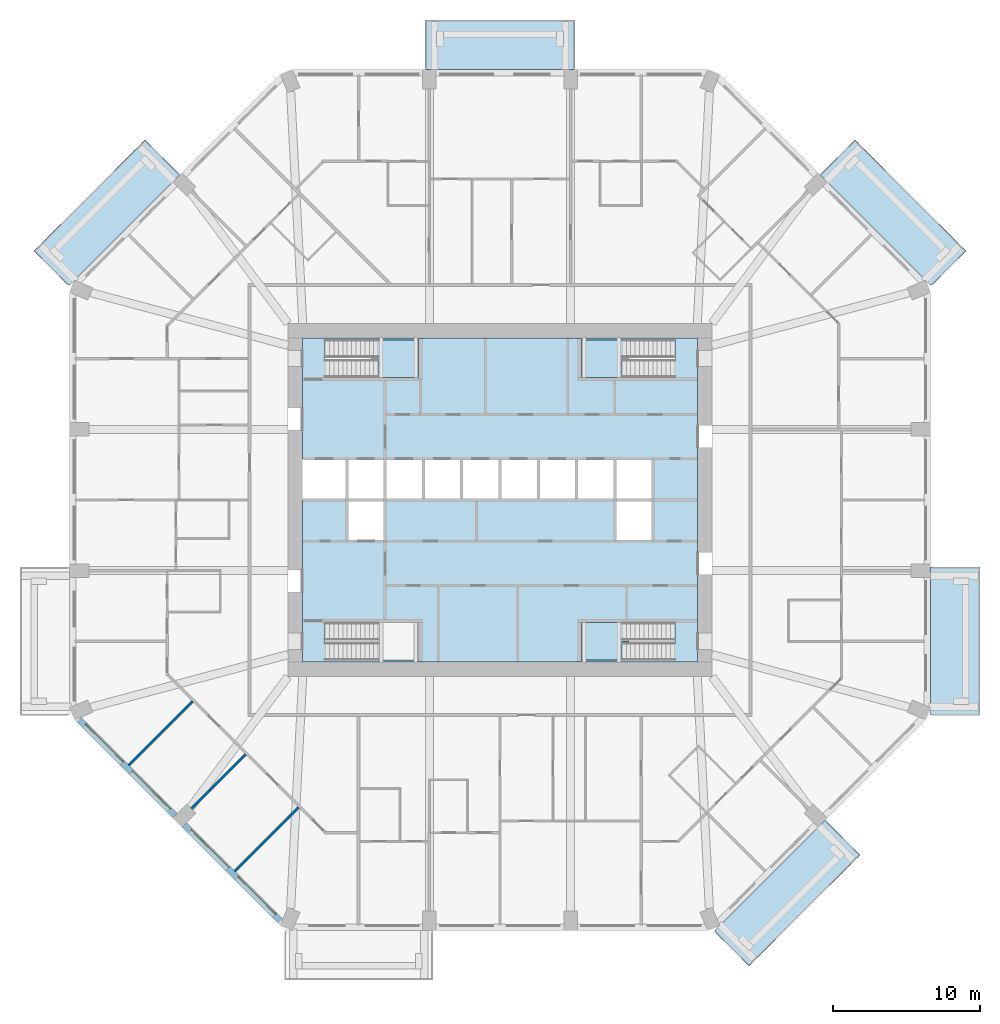
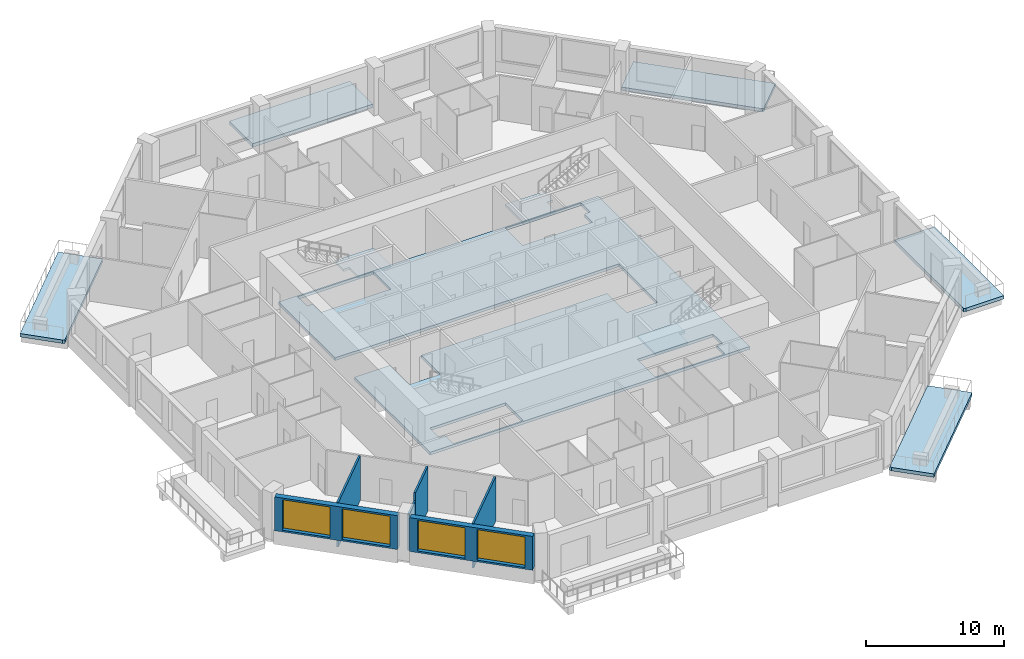
# One storey, part 2 of 13: 9 slabs, 6 walls, 4 windows, 4 openings, 3 elements without a shape of their own.
"""IFC4 building model written with IfcOpenShell, lengths in metres."""

from ifc_helpers import new_model, si_unit, direction, frame, frame_2d, origin, place, context, subcontext, project, spatial, polyline, rectangle, outline, extrude, material, layer, layer_set, type_object, element, fill, aggregate, save


model = new_model("IFC4")

# Units and contexts
model_context = context("Model", 3, precision=1e-05, world=origin(), true_north=direction((0.0, 1.0)))
body_context = subcontext(model_context, "Body", "Model", "MODEL_VIEW")
ifc_project = project(units=[si_unit("LENGTHUNIT", "METRE"), si_unit("AREAUNIT", "SQUARE_METRE"), si_unit("VOLUMEUNIT", "CUBIC_METRE"), si_unit("PLANEANGLEUNIT", "RADIAN"), si_unit("MASSUNIT", "GRAM", prefix="KILO")], contexts=[model_context])

# Site, building, storey
site_placement = place(None, origin())
site = spatial("IfcSite", under=ifc_project, at=site_placement, CompositionType="ELEMENT")
building_placement = place(site_placement, origin())
building = spatial("IfcBuilding", under=site, at=building_placement, Name="Msitu Wima Residences", CompositionType="ELEMENT")
storey_placement = place(building_placement, frame((0.0, 0.0, 88.5)))
storey = spatial("IfcBuildingStorey", under=building, at=storey_placement, Name="L20", CompositionType="ELEMENT", Elevation=88.5)

# Slabs
ifc_material_1 = material(Name="Concrete C40/50", Category="concrete")
ifc_layer_1 = layer(ifc_material_1, 0.300048828125)
ifc_layer_set_1 = layer_set([ifc_layer_1], Name="Concrete C40/50")
slab_type_1 = type_object("IfcSlabType", Name="Balcony slab BS300", PredefinedType="FLOOR", material=ifc_layer_set_1)
slab_1_placement = place(storey_placement, frame((0.0, 0.0, -0.300048828125)))
element("IfcSlab", 1, at=slab_1_placement, inside=storey, type_object=slab_type_1, Name="Balcony E0 L20", PredefinedType="FLOOR", context=body_context, shape_type="SweptSolid", body=[
    extrude(outline(polyline([(29.25, -14.099365234375), (29.25, -14.099365234375), (29.25, -5.25), (29.25, -4.550048828125), (32.60009765625, -4.550048828125), (32.60009765625, -14.64990234375), (29.403564453125, -14.64990234375), (29.25, -14.58642578125), (29.25, -14.099365234375), (29.25, -14.099365234375)])), origin(), (0.0, 0.0, 1.0), 0.300048828125),
])
slab_2_placement = place(storey_placement, frame((0.0, 0.0, -0.300048828125)))
element("IfcSlab", 2, at=slab_2_placement, inside=storey, type_object=slab_type_1, Name="Balcony NE0 L20", PredefinedType="FLOOR", context=body_context, shape_type="SweptSolid", body=[
    extrude(outline(polyline([(24.1103515625, 24.4638671875), (31.663818359375, 16.91015625), (29.403564453125, 14.64990234375), (29.25, 14.58642578125), (21.741455078125, 22.094970703125), (24.1103515625, 24.4638671875)])), origin(), (0.0, 0.0, 1.0), 0.300048828125),
])
slab_3_placement = place(storey_placement, frame((0.0, 0.0, -0.300048828125)))
element("IfcSlab", 3, at=slab_3_placement, inside=storey, type_object=slab_type_1, Name="Balcony N1 L20", PredefinedType="FLOOR", context=body_context, shape_type="SweptSolid", body=[
    extrude(outline(polyline([(4.35009765625, 29.25), (-4.35009765625, 29.25), (-5.050048828125, 29.25), (-5.050048828125, 32.60009765625), (5.050048828125, 32.60009765625), (5.050048828125, 29.25), (4.35009765625, 29.25)])), origin(), (0.0, 0.0, 1.0), 0.300048828125),
])
slab_4_placement = place(storey_placement, frame((0.0, 0.0, -0.300048828125)))
element("IfcSlab", 4, at=slab_4_placement, inside=storey, type_object=slab_type_1, Name="Balcony NW1 L20", PredefinedType="FLOOR", context=body_context, shape_type="SweptSolid", body=[
    extrude(outline(polyline([(-31.663818359375, 16.91015625), (-24.1103515625, 24.4638671875), (-21.741455078125, 22.094970703125), (-29.25, 14.58642578125), (-29.403564453125, 14.64990234375), (-31.663818359375, 16.91015625)])), origin(), (0.0, 0.0, 1.0), 0.300048828125),
])
slab_5_placement = place(storey_placement, frame((0.0, 0.0, -0.300048828125)))
element("IfcSlab", 5, at=slab_5_placement, inside=storey, type_object=slab_type_1, Name="Balcony SE0 L20", PredefinedType="FLOOR", context=body_context, shape_type="SweptSolid", body=[
    extrude(outline(polyline([(24.4638671875, -24.1103515625), (16.91015625, -31.663818359375), (14.64990234375, -29.403564453125), (14.58642578125, -29.25), (22.094970703125, -21.741455078125), (24.4638671875, -24.1103515625)])), origin(), (0.0, 0.0, 1.0), 0.300048828125),
])
ifc_layer_2 = layer(ifc_material_1, 0.25)
ifc_layer_set_2 = layer_set([ifc_layer_2], Name="Concrete C40/50")
slab_type_2 = type_object("IfcSlabType", Name="Core floor CF250", PredefinedType="FLOOR", material=ifc_layer_set_2)
slab_6_placement = place(storey_placement, frame((0.0, 0.0, -0.25)))
element("IfcSlab", 6, at=slab_6_placement, inside=storey, type_object=slab_type_2, Name="Core floor", PredefinedType="FLOOR", context=body_context, shape_type="SweptSolid", body=[
    extrude(outline(polyline([(-13.39990234375, 11.0), (-13.39990234375, 2.800048828125), (-10.39990234375, 2.800048828125), (-7.800048828125, 2.800048828125), (-5.199951171875, 2.800048828125), (-2.60009765625, 2.800048828125), (0.0, 2.800048828125), (2.60009765625, 2.800048828125), (5.199951171875, 2.800048828125), (7.800048828125, 2.800048828125), (10.39990234375, 2.800048828125), (10.39990234375, 0.0), (10.39990234375, -2.800048828125), (7.800048828125, -2.800048828125), (7.800048828125, 0.0), (5.199951171875, 0.0), (2.60009765625, 0.0), (0.0, 0.0), (-2.60009765625, 0.0), (-5.199951171875, 0.0), (-7.800048828125, 0.0), (-7.800048828125, -2.800048828125), (-10.39990234375, -2.800048828125), (-10.39990234375, 0.0), (-13.39990234375, 0.0), (-13.39990234375, -11.0), (13.39990234375, -11.0), (13.39990234375, 11.0), (-13.39990234375, 11.0)]), holes=[polyline([(-11.375, -10.875), (-11.375, -9.675048828125), (-11.87451171875, -9.675048828125), (-11.87451171875, -8.324951171875), (-5.52490234375, -8.324951171875), (-5.52490234375, -10.875), (-11.375, -10.875)]), polyline([(-11.375, 9.52490234375), (-11.87451171875, 9.52490234375), (-11.87451171875, 10.875), (-5.52490234375, 10.875), (-5.52490234375, 8.324951171875), (-11.375, 8.324951171875), (-11.375, 9.52490234375)]), polyline([(11.375, -9.675048828125), (11.375, -10.875), (5.52490234375, -10.875), (5.52490234375, -8.324951171875), (11.87451171875, -8.324951171875), (11.87451171875, -9.675048828125), (11.375, -9.675048828125)]), polyline([(11.375, 9.52490234375), (11.375, 8.324951171875), (5.52490234375, 8.324951171875), (5.52490234375, 10.875), (11.87451171875, 10.875), (11.87451171875, 9.52490234375), (11.375, 9.52490234375)])]), origin(), (0.0, 0.0, 1.0), 0.25),
])

# Stair, slab
stair_type = type_object("IfcStairType", Name="Exit stair ES1615-120", PredefinedType="HALF_TURN_STAIR", material=ifc_material_1)
stair_1_placement = place(storey_placement, origin())
stair_1 = element("IfcStair", 7, at=stair_1_placement, inside=storey, type_object=stair_type, Name="Exit stair 1", PredefinedType="HALF_TURN_STAIR")
ifc_layer_3 = layer(ifc_material_1, 0.199951171875)
ifc_layer_set_3 = layer_set([ifc_layer_3], Name="Concrete C40/50")
slab_type_3 = type_object("IfcSlabType", Name="Stair landing SL200", PredefinedType="LANDING", material=ifc_layer_set_3)
slab_7_placement = place(storey_placement, frame((0.0, 0.0, 1.89990234375)))
slab_7 = element("IfcSlab", 8, at=slab_7_placement, type_object=slab_type_3, Name="S1 landing 1", PredefinedType="LANDING", context=body_context, shape_type="SweptSolid", body=[
    extrude(outline(polyline([(-5.52490234375, 8.324951171875), (-8.275390625, 8.324951171875), (-8.275390625, 9.60009765625), (-8.77490234375, 9.60009765625), (-8.77490234375, 10.875), (-5.52490234375, 10.875), (-5.52490234375, 8.324951171875)])), origin(), (0.0, 0.0, 1.0), 0.2001953125),
])
aggregate(stair_1, [slab_7])

stair_2_placement = place(storey_placement, origin())
stair_2 = element("IfcStair", 9, at=stair_2_placement, inside=storey, type_object=stair_type, Name="Exit stair 3", PredefinedType="HALF_TURN_STAIR")
slab_8_placement = place(storey_placement, frame((0.0, 0.0, 1.89990234375)))
slab_8 = element("IfcSlab", 10, at=slab_8_placement, type_object=slab_type_3, Name="S3 landing 1", PredefinedType="LANDING", context=body_context, shape_type="SweptSolid", body=[
    extrude(outline(polyline([(5.52490234375, 8.324951171875), (8.275390625, 8.324951171875), (8.275390625, 9.60009765625), (8.77490234375, 9.60009765625), (8.77490234375, 10.875), (5.52490234375, 10.875), (5.52490234375, 8.324951171875)])), origin(), (0.0, 0.0, 1.0), 0.2001953125),
])
aggregate(stair_2, [slab_8])

stair_3_placement = place(storey_placement, origin())
stair_3 = element("IfcStair", 11, at=stair_3_placement, inside=storey, type_object=stair_type, Name="Exit stair 4", PredefinedType="HALF_TURN_STAIR")
slab_9_placement = place(storey_placement, frame((0.0, 0.0, 1.89990234375)))
slab_9 = element("IfcSlab", 12, at=slab_9_placement, type_object=slab_type_3, Name="S4 landing 1", PredefinedType="LANDING", context=body_context, shape_type="SweptSolid", body=[
    extrude(outline(polyline([(5.52490234375, -10.875), (8.275390625, -10.875), (8.275390625, -9.60009765625), (8.77490234375, -9.60009765625), (8.77490234375, -8.324951171875), (5.52490234375, -8.324951171875), (5.52490234375, -10.875)])), origin(), (0.0, 0.0, 1.0), 0.2001953125),
])
aggregate(stair_3, [slab_9])

# Wall, openings, windows
ifc_material_2 = material(Name="Brick (red buff mix)", Category="masonry")
ifc_layer_4 = layer(ifc_material_2, 0.449951171875)
ifc_layer_set_4 = layer_set([ifc_layer_4], Name="Brick (red buff mix)")
wall_type_1 = type_object("IfcWallType", Name="Brick infill wall BW450", PredefinedType="SOLIDWALL", material=ifc_layer_set_4)
wall_1_placement = place(storey_placement, frame((-28.61474609375, -14.903564453125, 0.89990234375), z_axis=(0.0, 0.0, 1.0), x_axis=(0.707106781187, -0.707106781187, 0.0)))
wall_1 = element("IfcWall", 13, at=wall_1_placement, inside=storey, type_object=wall_type_1, Name="Brick infill wall L20 SW0", PredefinedType="SOLIDWALL", context=body_context, shape_type="SweptSolid", body=[
    extrude(rectangle(XDim=9.2451171875, YDim=0.449951171875, at=frame_2d((4.62255859375, 0.0))), origin(), (0.0, 0.0, 1.0), 3.0),
])
opening_1_placement = place(wall_1_placement, frame((0.572509765625, 0.0, 0.14990234375)))
opening_1 = element("IfcOpeningElement", 14, at=opening_1_placement, cuts=wall_1, Name="Opening W18-20.025", PredefinedType="OPENING", context=body_context, shape_type="SweptSolid", body=[
    extrude(rectangle(XDim=3.60009765625, YDim=2.699951171875, at=frame_2d((1.800048828125, 1.35009765625))), frame((0.0, 0.23486328125, 0.0), z_axis=(0.0, -1.0, 0.0), x_axis=(1.0, 0.0, 0.0)), (0.0, 0.0, 1.0), 0.469970703125),
])
opening_2_placement = place(wall_1_placement, frame((5.072509765625, 0.0, 0.14990234375)))
opening_2 = element("IfcOpeningElement", 15, at=opening_2_placement, cuts=wall_1, Name="Opening W18-20.026", PredefinedType="OPENING", context=body_context, shape_type="SweptSolid", body=[
    extrude(rectangle(XDim=3.60009765625, YDim=2.699951171875, at=frame_2d((1.800048828125, 1.35009765625))), frame((0.0, 0.23486328125, 0.0), z_axis=(0.0, -1.0, 0.0), x_axis=(1.0, 0.0, 0.0)), (0.0, 0.0, 1.0), 0.469970703125),
])
ifc_material_3 = material(Name="Anodised aluminium, bronze finish, clear low-emissivity double glazing", Category="aluminium")
window_type = type_object("IfcWindowType", Name="Window W3600x2700", PartitioningType="DOUBLE_PANEL_VERTICAL", PredefinedType="WINDOW", material=ifc_material_3)
window_1_placement = place(opening_1_placement, origin())
window_1 = element("IfcWindow", 16, at=window_1_placement, inside=storey, type_object=window_type, Name="Window L20 SW0.1", OverallHeight=2.699951171875, OverallWidth=3.60009765625, PartitioningType="SINGLE_PANEL", PredefinedType="WINDOW", context=body_context, shape_type="SweptSolid", body=[
    extrude(rectangle(XDim=3.60009765625, YDim=2.699951171875, at=frame_2d((1.800048828125, 1.35009765625))), frame((0.0, 0.135009765625, 0.0), z_axis=(0.0, -1.0, 0.0), x_axis=(1.0, 0.0, 0.0)), (0.0, 0.0, 1.0), 0.06005859375),
])
fill(opening_1, window_1)
window_2_placement = place(opening_2_placement, origin())
window_2 = element("IfcWindow", 17, at=window_2_placement, inside=storey, type_object=window_type, Name="Window L20 SW0.2", OverallHeight=2.699951171875, OverallWidth=3.60009765625, PartitioningType="SINGLE_PANEL", PredefinedType="WINDOW", context=body_context, shape_type="SweptSolid", body=[
    extrude(rectangle(XDim=3.60009765625, YDim=2.699951171875, at=frame_2d((1.800048828125, 1.35009765625))), frame((0.0, 0.135009765625, 0.0), z_axis=(0.0, -1.0, 0.0), x_axis=(1.0, 0.0, 0.0)), (0.0, 0.0, 1.0), 0.06005859375),
])
fill(opening_2, window_2)

wall_2_placement = place(storey_placement, frame((-21.44091796875, -22.077392578125, 0.89990234375), z_axis=(0.0, 0.0, 1.0), x_axis=(0.707106781187, -0.707106781187, 0.0)))
wall_2 = element("IfcWall", 18, at=wall_2_placement, inside=storey, type_object=wall_type_1, Name="Brick infill wall L20 SW1", PredefinedType="SOLIDWALL", context=body_context, shape_type="SweptSolid", body=[
    extrude(rectangle(XDim=9.2451171875, YDim=0.449951171875, at=frame_2d((4.62255859375, 0.0))), origin(), (0.0, 0.0, 1.0), 3.0),
])
opening_3_placement = place(wall_2_placement, frame((0.572509765625, 0.0, 0.14990234375)))
opening_3 = element("IfcOpeningElement", 19, at=opening_3_placement, cuts=wall_2, Name="Opening W18-20.027", PredefinedType="OPENING", context=body_context, shape_type="SweptSolid", body=[
    extrude(rectangle(XDim=3.60009765625, YDim=2.699951171875, at=frame_2d((1.800048828125, 1.35009765625))), frame((0.0, 0.23486328125, 0.0), z_axis=(0.0, -1.0, 0.0), x_axis=(1.0, 0.0, 0.0)), (0.0, 0.0, 1.0), 0.469970703125),
])
opening_4_placement = place(wall_2_placement, frame((5.072509765625, 0.0, 0.14990234375)))
opening_4 = element("IfcOpeningElement", 20, at=opening_4_placement, cuts=wall_2, Name="Opening W18-20.028", PredefinedType="OPENING", context=body_context, shape_type="SweptSolid", body=[
    extrude(rectangle(XDim=3.60009765625, YDim=2.699951171875, at=frame_2d((1.800048828125, 1.35009765625))), frame((0.0, 0.23486328125, 0.0), z_axis=(0.0, -1.0, 0.0), x_axis=(1.0, 0.0, 0.0)), (0.0, 0.0, 1.0), 0.469970703125),
])
window_3_placement = place(opening_3_placement, origin())
window_3 = element("IfcWindow", 21, at=window_3_placement, inside=storey, type_object=window_type, Name="Window L20 SW1.1", OverallHeight=2.699951171875, OverallWidth=3.60009765625, PartitioningType="SINGLE_PANEL", PredefinedType="WINDOW", context=body_context, shape_type="SweptSolid", body=[
    extrude(rectangle(XDim=3.60009765625, YDim=2.699951171875, at=frame_2d((1.800048828125, 1.35009765625))), frame((0.0, 0.135009765625, 0.0), z_axis=(0.0, -1.0, 0.0), x_axis=(1.0, 0.0, 0.0)), (0.0, 0.0, 1.0), 0.06005859375),
])
fill(opening_3, window_3)
window_4_placement = place(opening_4_placement, origin())
window_4 = element("IfcWindow", 22, at=window_4_placement, inside=storey, type_object=window_type, Name="Window L20 SW1.2", OverallHeight=2.699951171875, OverallWidth=3.60009765625, PartitioningType="SINGLE_PANEL", PredefinedType="WINDOW", context=body_context, shape_type="SweptSolid", body=[
    extrude(rectangle(XDim=3.60009765625, YDim=2.699951171875, at=frame_2d((1.800048828125, 1.35009765625))), frame((0.0, 0.135009765625, 0.0), z_axis=(0.0, -1.0, 0.0), x_axis=(1.0, 0.0, 0.0)), (0.0, 0.0, 1.0), 0.06005859375),
])
fill(opening_4, window_4)

# Walls
ifc_material_4 = material(Name="Plaster")
ifc_layer_5 = layer(ifc_material_4, 0.011962890625, Name="Plaster")
ifc_material_5 = material(Name="Concrete blockwork", Category="masonry")
ifc_layer_6 = layer(ifc_material_5, 0.1259765625, Name="Concrete blockwork")
ifc_layer_7 = layer(ifc_material_4, 0.011962890625, Name="Plaster")
ifc_layer_set_5 = layer_set([ifc_layer_5, ifc_layer_6, ifc_layer_7], Name="Concrete blockwork")
wall_type_2 = type_object("IfcWallType", Name="Partition PW150", PredefinedType="PARTITIONING", material=ifc_layer_set_5)
wall_3_placement = place(storey_placement, frame((-25.2177734375, -18.017578125, 0.0), z_axis=(0.0, 0.0, 1.0), x_axis=(0.707126629519, 0.707086932297, 0.0)))
element("IfcWall", 23, at=wall_3_placement, inside=storey, type_object=wall_type_2, Name="Partition", PredefinedType="PARTITIONING", context=body_context, shape_type="SweptSolid", body=[
    extrude(rectangle(XDim=6.150146484375, YDim=0.14990234375, at=frame_2d((3.0751953125, 0.0))), origin(), (0.0, 0.0, 1.0), 3.949951171875),
])
wall_4_placement = place(storey_placement, frame((-20.963623046875, -20.963623046875, 0.0), z_axis=(0.0, 0.0, 1.0), x_axis=(0.707106781187, 0.707106781187, 0.0)))
element("IfcWall", 24, at=wall_4_placement, inside=storey, type_object=wall_type_2, Name="Partition", PredefinedType="PARTITIONING", context=body_context, shape_type="SweptSolid", body=[
    extrude(rectangle(XDim=1.74853515625, YDim=0.14990234375, at=frame_2d((0.874267578125, 0.0))), origin(), (0.0, 0.0, 1.0), 3.25),
])
wall_5_placement = place(storey_placement, frame((-19.727294921875, -19.727294921875, 0.0), z_axis=(0.0, 0.0, 1.0), x_axis=(0.707106781187, 0.707106781187, 0.0)))
element("IfcWall", 25, at=wall_5_placement, inside=storey, type_object=wall_type_2, Name="Partition", PredefinedType="PARTITIONING", context=body_context, shape_type="SweptSolid", body=[
    extrude(rectangle(XDim=3.4765625, YDim=0.14990234375, at=frame_2d((1.73828125, 0.0))), origin(), (0.0, 0.0, 1.0), 3.949951171875),
])
wall_6_placement = place(storey_placement, frame((-18.017578125, -25.2177734375, 0.0), z_axis=(0.0, 0.0, 1.0), x_axis=(0.707086932297, 0.707126629519, 0.0)))
element("IfcWall", 26, at=wall_6_placement, inside=storey, type_object=wall_type_2, Name="Partition", PredefinedType="PARTITIONING", context=body_context, shape_type="SweptSolid", body=[
    extrude(rectangle(XDim=6.150146484375, YDim=0.14990234375, at=frame_2d((3.0751953125, 0.0))), origin(), (0.0, 0.0, 1.0), 3.949951171875),
])

save(model, "model.ifc")
